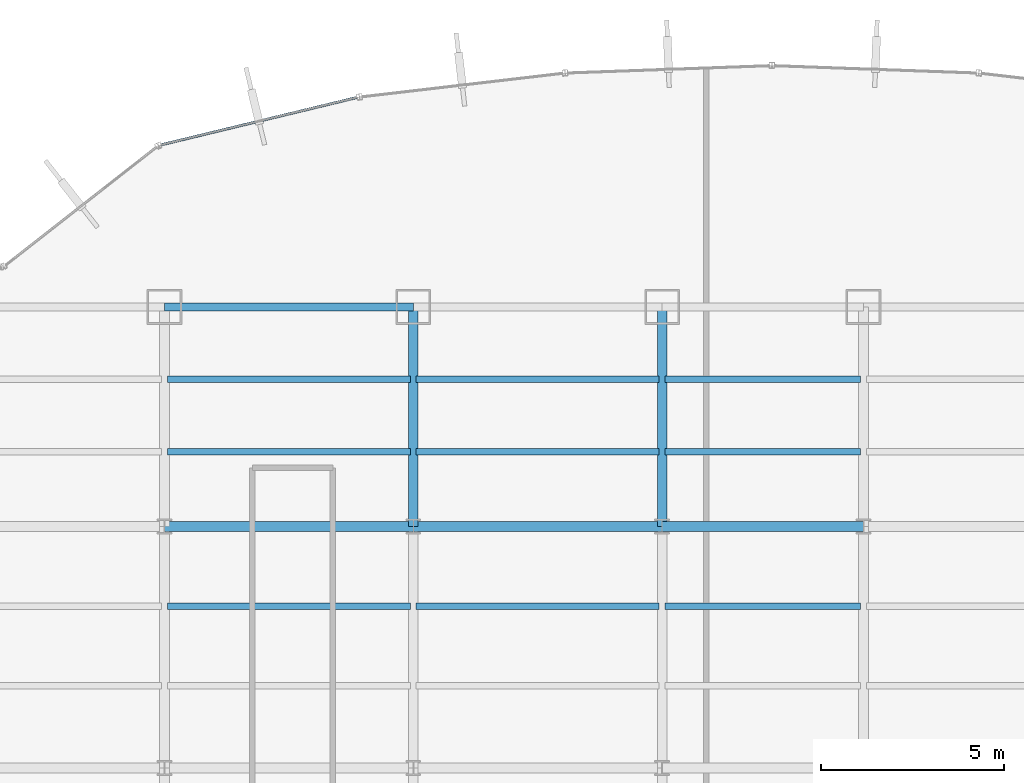
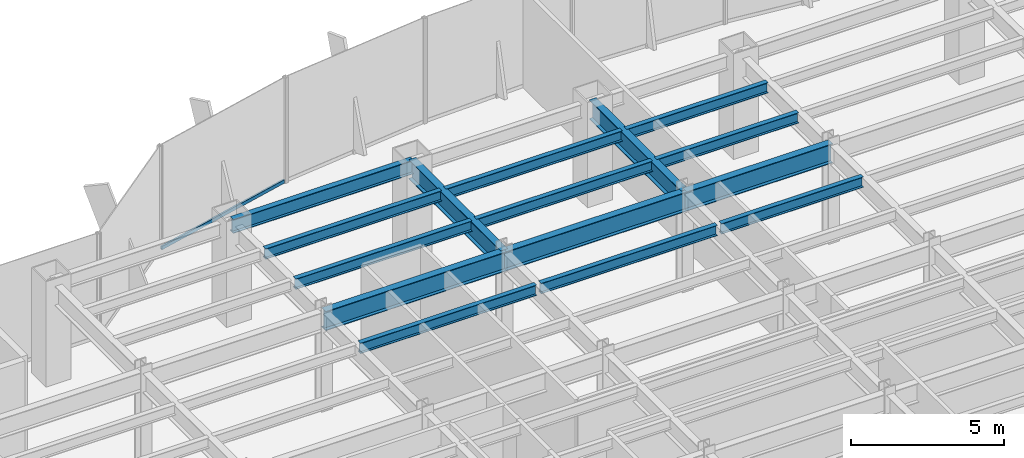
# One storey, part 19 of 35: 15 beams, 1 member, 1 element without a shape of its own.
"""IFC4 building model written with IfcOpenShell, lengths in metres."""

from ifc_helpers import new_model, si_unit, derived_unit, direction, frame, origin, origin_2d, place, context, subcontext, project, spatial, hollow_rectangle, i_section, extrude, source, transform, mapped, material, material_profile, profile_set, type_object, element, aggregate, save


model = new_model("IFC4")

# Units and contexts
model_context = context("Model", 3, precision=1e-05, world=origin(), true_north=direction((0.0, 1.0)))
body_context = subcontext(model_context, "Body", "Model", "MODEL_VIEW")
ifc_project = project(units=[si_unit("LENGTHUNIT", "METRE"), si_unit("AREAUNIT", "SQUARE_METRE"), si_unit("VOLUMEUNIT", "CUBIC_METRE"), si_unit("PLANEANGLEUNIT", "RADIAN"), si_unit("MASSUNIT", "GRAM", prefix="KILO"), derived_unit("THERMALTRANSMITTANCEUNIT", [(si_unit("POWERUNIT", "WATT"), 1), (si_unit("LENGTHUNIT", "METRE"), -2), (si_unit("THERMODYNAMICTEMPERATUREUNIT", "KELVIN"), -1)])], contexts=[model_context])

# Site, building, storey
site_placement = place(None, origin())
site = spatial("IfcSite", under=ifc_project, at=site_placement, CompositionType="ELEMENT")
building_placement = place(site_placement, origin())
building = spatial("IfcBuilding", under=site, at=building_placement, Name="Skarnbrae Concourse Arena and Tower", CompositionType="ELEMENT")
storey_placement = place(building_placement, frame((0.0, 0.0, 79.949951171875)))
storey = spatial("IfcBuildingStorey", under=building, at=storey_placement, Name="L19", CompositionType="ELEMENT", Elevation=79.949951171875)

# Beams
ifc_material_1 = material(Name="Steel CSA G40.21 350W", Category="steel")
ifc_material_profile_1 = material_profile(ifc_material_1, i_section(OverallWidth=0.26806640625, OverallDepth=0.77001953125, WebThickness=0.015625, FlangeThickness=0.025390625, at=origin_2d()), Name="W760X196")
ifc_profile_set_1 = profile_set([ifc_material_profile_1], Name="Steel CSA G40.21 350W")
beam_type_1 = type_object("IfcBeamType", Name="BM-GIRD-W760X196", PredefinedType="BEAM", material=ifc_profile_set_1)
shared_shape_1 = source(origin(), body_context, "Body", "SweptSolid", [
    extrude(i_section(OverallWidth=0.26806640625, OverallDepth=0.77001953125, WebThickness=0.015625, FlangeThickness=0.025390625, at=origin_2d()), origin(), (0.0, 0.0, 1.0), 6.800048828125),
])
for number, where, z_axis, x_axis, name in (
    (1, (14.39990234375, 34.39990234375, 3.51513671875), (1.0, 0.0, 0.0), (0.0, 1.0, 0.0), "L19 Primary E-W girder Y34.4-3"),
    (2, (21.199951171875, 34.39990234375, 3.51513671875), (1.0, 0.0, 0.0), (0.0, 1.0, 0.0), "L19 Primary E-W girder Y34.4-4"),
):
    element("IfcBeam", number, at=place(storey_placement, frame(where, z_axis=z_axis, x_axis=x_axis)), inside=storey, type_object=beam_type_1, Name=name, PredefinedType="BEAM", context=body_context, shape_type="MappedRepresentation", body=[
        mapped(shared_shape_1, transform((0.0, 0.0, 0.0))),
    ])
shared_shape_2 = source(origin(), body_context, "Body", "SweptSolid", [
    extrude(i_section(OverallWidth=0.26806640625, OverallDepth=0.77001953125, WebThickness=0.015625, FlangeThickness=0.025390625, at=origin_2d()), origin(), (0.0, 0.0, 1.0), 5.5),
])
beam_1_placement = place(storey_placement, frame((28.0, 34.39990234375, 3.51513671875), z_axis=(1.0, 0.0, 0.0), x_axis=(0.0, 1.0, 0.0)))
element("IfcBeam", 3, at=beam_1_placement, inside=storey, type_object=beam_type_1, Name="L19 Primary E-W girder Y34.4-5", PredefinedType="BEAM", context=body_context, shape_type="MappedRepresentation", body=[
    mapped(shared_shape_2, transform((0.0, 0.0, 0.0))),
])
shared_shape_3 = source(origin(), body_context, "Body", "SweptSolid", [
    extrude(i_section(OverallWidth=0.26806640625, OverallDepth=0.77001953125, WebThickness=0.015625, FlangeThickness=0.025390625, at=origin_2d()), origin(), (0.0, 0.0, 1.0), 6.0),
])
for number, where, z_axis, x_axis, name in (
    (4, (21.199951171875, 34.39990234375, 3.51513671875), (0.0, 1.0, 0.0), (-1.0, 0.0, 0.0), "L19 Primary N-S girder X21.2-4"),
    (5, (28.0, 34.39990234375, 3.51513671875), (0.0, 1.0, 0.0), (-1.0, 0.0, 0.0), "L19 Primary N-S girder X28.0-4"),
):
    element("IfcBeam", number, at=place(storey_placement, frame(where, z_axis=z_axis, x_axis=x_axis)), inside=storey, type_object=beam_type_1, Name=name, PredefinedType="BEAM", context=body_context, shape_type="MappedRepresentation", body=[
        mapped(shared_shape_3, transform((0.0, 0.0, 0.0))),
    ])
ifc_material_profile_2 = material_profile(ifc_material_1, i_section(OverallWidth=0.214111328125, OverallDepth=0.549072265625, WebThickness=0.0146484375, FlangeThickness=0.023681640625, at=origin_2d()), Name="W530X138")
ifc_profile_set_2 = profile_set([ifc_material_profile_2], Name="Steel CSA G40.21 350W")
beam_type_2 = type_object("IfcBeamType", Name="BM-SPAN-W530X138", PredefinedType="SPANDREL", material=ifc_profile_set_2)
shared_shape_4 = source(origin(), body_context, "Body", "SweptSolid", [
    extrude(i_section(OverallWidth=0.214111328125, OverallDepth=0.549072265625, WebThickness=0.0146484375, FlangeThickness=0.023681640625, at=origin_2d()), origin(), (0.0, 0.0, 1.0), 6.800048828125),
])
beam_2_placement = place(storey_placement, frame((14.39990234375, 40.39990234375, 3.62548828125), z_axis=(1.0, 0.0, 0.0), x_axis=(0.0, 1.0, 0.0)))
element("IfcBeam", 6, at=beam_2_placement, inside=storey, type_object=beam_type_2, Name="L19 Perimeter spandrel Y40.4-2", PredefinedType="SPANDREL", context=body_context, shape_type="MappedRepresentation", body=[
    mapped(shared_shape_4, transform((0.0, 0.0, 0.0))),
])
ifc_material_profile_3 = material_profile(ifc_material_1, i_section(OverallWidth=0.180908203125, OverallDepth=0.4169921875, WebThickness=0.010986328125, FlangeThickness=0.018310546875, at=origin_2d()), Name="W410X85")
ifc_profile_set_3 = profile_set([ifc_material_profile_3], Name="Steel CSA G40.21 350W")
beam_type_3 = type_object("IfcBeamType", Name="BM-JOIST-W410X85", PredefinedType="JOIST", material=ifc_profile_set_3)
shared_shape_5 = source(origin(), body_context, "Body", "SweptSolid", [
    extrude(i_section(OverallWidth=0.180908203125, OverallDepth=0.4169921875, WebThickness=0.010986328125, FlangeThickness=0.018310546875, at=origin_2d()), origin(), (0.0, 0.0, 1.0), 6.64013671875),
])
for number, where, z_axis, x_axis, name in (
    (7, (14.47998046875, 32.221923828125, 3.691650390625), (1.0, 0.0, 0.0), (0.0, 1.0, 0.0), "L19 Secondary floor joist 3.2.3"),
    (8, (14.47998046875, 36.43994140625, 3.691650390625), (1.0, 0.0, 0.0), (0.0, 1.0, 0.0), "L19 Secondary floor joist 4.1.2"),
    (9, (14.47998046875, 38.419921875, 3.691650390625), (1.0, 0.0, 0.0), (0.0, 1.0, 0.0), "L19 Secondary floor joist 4.2.2"),
):
    element("IfcBeam", number, at=place(storey_placement, frame(where, z_axis=z_axis, x_axis=x_axis)), inside=storey, type_object=beam_type_3, Name=name, PredefinedType="JOIST", context=body_context, shape_type="MappedRepresentation", body=[
        mapped(shared_shape_5, transform((0.0, 0.0, 0.0))),
    ])
shared_shape_6 = source(origin(), body_context, "Body", "SweptSolid", [
    extrude(i_section(OverallWidth=0.180908203125, OverallDepth=0.4169921875, WebThickness=0.010986328125, FlangeThickness=0.018310546875, at=origin_2d()), origin(), (0.0, 0.0, 1.0), 6.639892578125),
])
for number, where, z_axis, x_axis, name in (
    (10, (21.280029296875, 32.221923828125, 3.691650390625), (1.0, 0.0, 0.0), (0.0, 1.0, 0.0), "L19 Secondary floor joist 3.2.4"),
    (11, (21.280029296875, 36.43994140625, 3.691650390625), (1.0, 0.0, 0.0), (0.0, 1.0, 0.0), "L19 Secondary floor joist 4.1.3"),
    (12, (21.280029296875, 38.419921875, 3.691650390625), (1.0, 0.0, 0.0), (0.0, 1.0, 0.0), "L19 Secondary floor joist 4.2.3"),
):
    element("IfcBeam", number, at=place(storey_placement, frame(where, z_axis=z_axis, x_axis=x_axis)), inside=storey, type_object=beam_type_3, Name=name, PredefinedType="JOIST", context=body_context, shape_type="MappedRepresentation", body=[
        mapped(shared_shape_6, transform((0.0, 0.0, 0.0))),
    ])
shared_shape_7 = source(origin(), body_context, "Body", "SweptSolid", [
    extrude(i_section(OverallWidth=0.180908203125, OverallDepth=0.4169921875, WebThickness=0.010986328125, FlangeThickness=0.018310546875, at=origin_2d()), origin(), (0.0, 0.0, 1.0), 5.33984375),
])
for number, where, z_axis, x_axis, name in (
    (13, (28.080078125, 32.221923828125, 3.691650390625), (1.0, 0.0, 0.0), (0.0, 1.0, 0.0), "L19 Secondary floor joist 3.2.5"),
    (14, (28.080078125, 36.43994140625, 3.691650390625), (1.0, 0.0, 0.0), (0.0, 1.0, 0.0), "L19 Secondary floor joist 4.1.4"),
    (15, (28.080078125, 38.419921875, 3.691650390625), (1.0, 0.0, 0.0), (0.0, 1.0, 0.0), "L19 Secondary floor joist 4.2.4"),
):
    element("IfcBeam", number, at=place(storey_placement, frame(where, z_axis=z_axis, x_axis=x_axis)), inside=storey, type_object=beam_type_3, Name=name, PredefinedType="JOIST", context=body_context, shape_type="MappedRepresentation", body=[
        mapped(shared_shape_7, transform((0.0, 0.0, 0.0))),
    ])

# Curtain wall, member
ifc_material_2 = material(Name="Bronze anodised aluminium 6063-T6", Category="aluminium")
curtain_wall_type = type_object("IfcCurtainWallType", Name="CW-SYS-06-SKYLOBBY", PredefinedType="USERDEFINED", material=ifc_material_2)
curtain_wall_placement = place(storey_placement, origin())
curtain_wall = element("IfcCurtainWall", 16, at=curtain_wall_placement, inside=storey, type_object=curtain_wall_type, Name="L19 Unitised curtain wall CW-L19-E14", ObjectType="UNITISED CURTAIN WALL", PredefinedType="USERDEFINED")
ifc_material_profile_4 = material_profile(ifc_material_2, hollow_rectangle(XDim=0.070068359375, YDim=0.135009765625, WallThickness=0.00390625, at=origin_2d()), Name="ALU-TRAN-70X135")
ifc_profile_set_4 = profile_set([ifc_material_profile_4], Name="Bronze anodised aluminium 6063-T6")
member_type = type_object("IfcMemberType", Name="CWT-CW-06", PredefinedType="USERDEFINED", material=ifc_profile_set_4)
shared_shape_8 = source(origin(), body_context, "Body", "SweptSolid", [
    extrude(hollow_rectangle(XDim=0.070068359375, YDim=0.135009765625, WallThickness=0.00390625, at=origin_2d()), origin(), (0.0, 0.0, 1.0), 5.512451171875),
])
member_placement = place(storey_placement, frame((19.65966796875, 46.1240234375, 0.067626953125), z_axis=(-0.971974119231, -0.235087880474, 0.0), x_axis=(0.235087880474, -0.971974119231, 0.0)))
member = element("IfcMember", 17, at=member_placement, type_object=member_type, Name="CW-L19-E14 Transom 1", ObjectType="TRANSOM", PredefinedType="USERDEFINED", context=body_context, shape_type="MappedRepresentation", body=[
    mapped(shared_shape_8, transform((0.0, 0.0, 0.0))),
])
aggregate(curtain_wall, [member])

save(model, "model.ifc")
